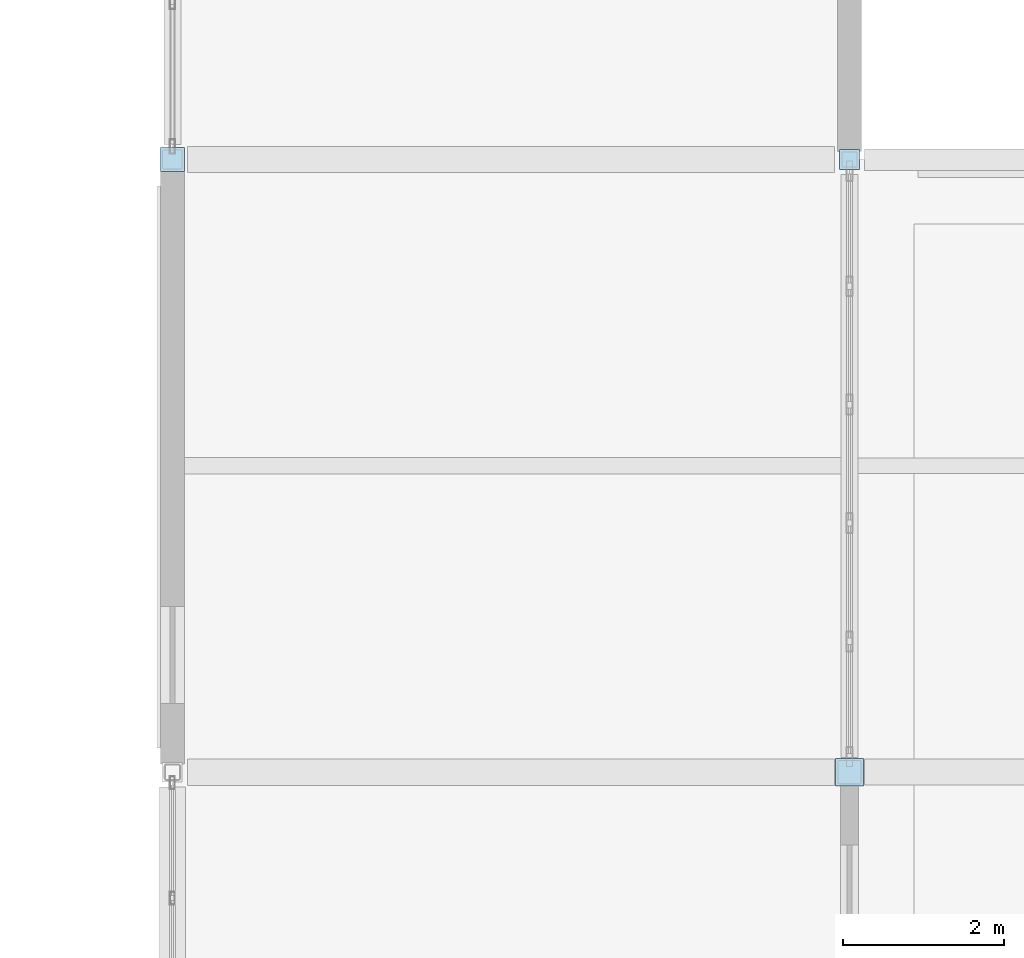
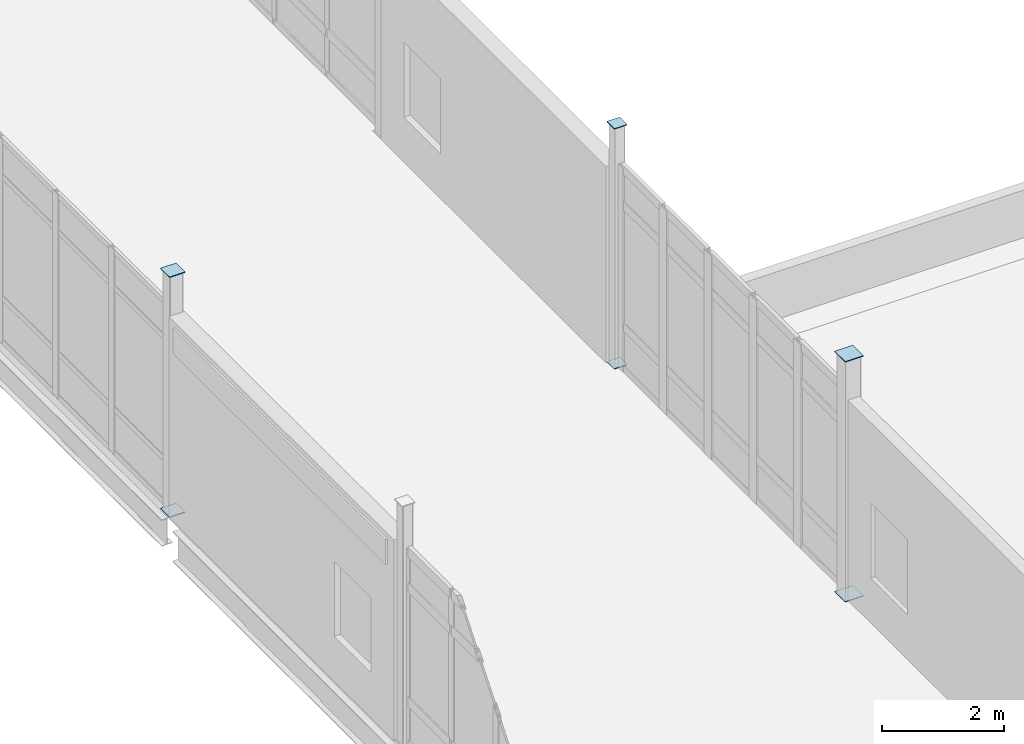
# One storey, part 112 of 153: 6 plates.
"""IFC4 building model written with IfcOpenShell, lengths in metres."""

from ifc_helpers import new_model, si_unit, direction, frame, origin, origin_2d, place, context, subcontext, project, spatial, rectangle, extrude, material, layer, layer_set, type_object, element, save


model = new_model("IFC4")

# Units and contexts
model_context = context("Model", 3, precision=1e-05, world=origin(), true_north=direction((0.0, 1.0)))
body_context = subcontext(model_context, "Body", "Model", "MODEL_VIEW")
ifc_project = project(units=[si_unit("LENGTHUNIT", "METRE"), si_unit("AREAUNIT", "SQUARE_METRE"), si_unit("VOLUMEUNIT", "CUBIC_METRE"), si_unit("PLANEANGLEUNIT", "RADIAN"), si_unit("MASSUNIT", "GRAM", prefix="KILO")], contexts=[model_context])

# Site, building, storey
site_placement = place(None, origin())
site = spatial("IfcSite", under=ifc_project, at=site_placement, CompositionType="ELEMENT")
building_placement = place(site_placement, origin())
building = spatial("IfcBuilding", under=site, at=building_placement, Name="Calvrana Isthmian Art Gallery", CompositionType="ELEMENT")
storey_placement = place(building_placement, frame((0.0, 0.0, 10.199951171875)))
storey = spatial("IfcBuildingStorey", under=building, at=storey_placement, Name="L02", CompositionType="ELEMENT", Elevation=10.199951171875)

# Plates
ifc_material = material(Name="Steel ASTM A572 Gr 50", Category="steel")
ifc_layer = layer(ifc_material, 0.01611328125, Name="Steel ASTM A572 Gr 50")
ifc_layer_set = layer_set([ifc_layer], Name="Steel ASTM A572 Gr 50")
plate_type = type_object("IfcPlateType", Name="PL-CAP-16", PredefinedType="SHEET", material=ifc_layer_set)
for number, where, z_axis, x_axis, name in (
    (1, (55.199951171875, 62.0, -0.008056640625), (0.0, 0.0, 1.0), (1.0, 0.0, 0.0), "Hollow section end cap plate 109"),
    (2, (55.199951171875, 62.0, 4.7919921875), (0.0, 0.0, 1.0), (1.0, 0.0, 0.0), "Hollow section end cap plate 110"),
):
    element("IfcPlate", number, at=place(storey_placement, frame(where, z_axis=z_axis, x_axis=x_axis)), inside=storey, type_object=plate_type, Name=name, PredefinedType="SHEET", context=body_context, shape_type="SweptSolid", body=[
        extrude(rectangle(XDim=0.2939453125, YDim=0.2939453125, at=origin_2d()), origin(), (0.0, 0.0, 1.0), 0.01611328125),
    ])
for number, where, z_axis, x_axis, name in (
    (3, (63.60009765625, 54.39990234375, -0.008056640625), (0.0, 0.0, 1.0), (1.0, 0.0, 0.0), "Hollow section end cap plate 139"),
    (4, (63.60009765625, 54.39990234375, 4.7919921875), (0.0, 0.0, 1.0), (1.0, 0.0, 0.0), "Hollow section end cap plate 140"),
):
    element("IfcPlate", number, at=place(storey_placement, frame(where, z_axis=z_axis, x_axis=x_axis)), inside=storey, type_object=plate_type, Name=name, PredefinedType="SHEET", context=body_context, shape_type="SweptSolid", body=[
        extrude(rectangle(XDim=0.3447265625, YDim=0.3447265625, at=origin_2d()), origin(), (0.0, 0.0, 1.0), 0.01611328125),
    ])
for number, where, z_axis, x_axis, name in (
    (5, (63.60009765625, 62.0, -0.008056640625), (0.0, 0.0, 1.0), (1.0, 0.0, 0.0), "Hollow section end cap plate 141"),
    (6, (63.60009765625, 62.0, 4.7919921875), (0.0, 0.0, 1.0), (1.0, 0.0, 0.0), "Hollow section end cap plate 142"),
):
    element("IfcPlate", number, at=place(storey_placement, frame(where, z_axis=z_axis, x_axis=x_axis)), inside=storey, type_object=plate_type, Name=name, PredefinedType="SHEET", context=body_context, shape_type="SweptSolid", body=[
        extrude(rectangle(XDim=0.2431640625, YDim=0.2431640625, at=origin_2d()), origin(), (0.0, 0.0, 1.0), 0.01611328125),
    ])

save(model, "model.ifc")
